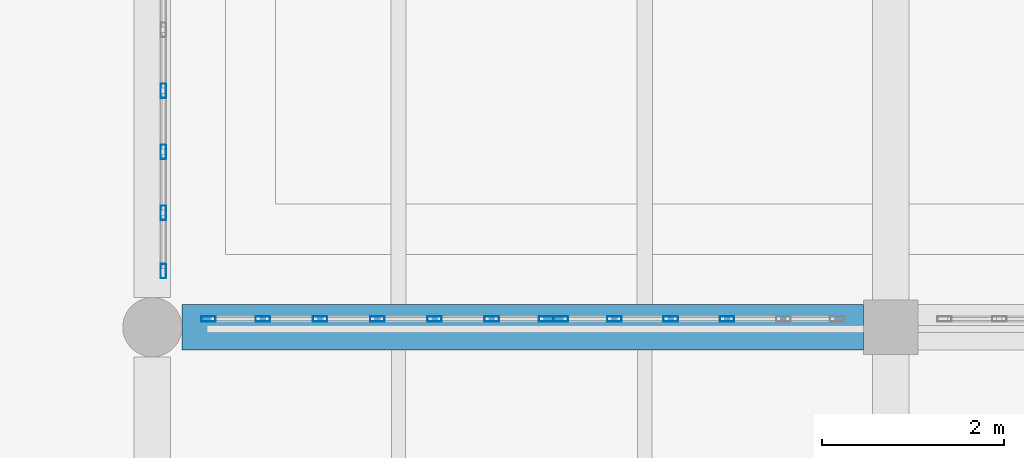
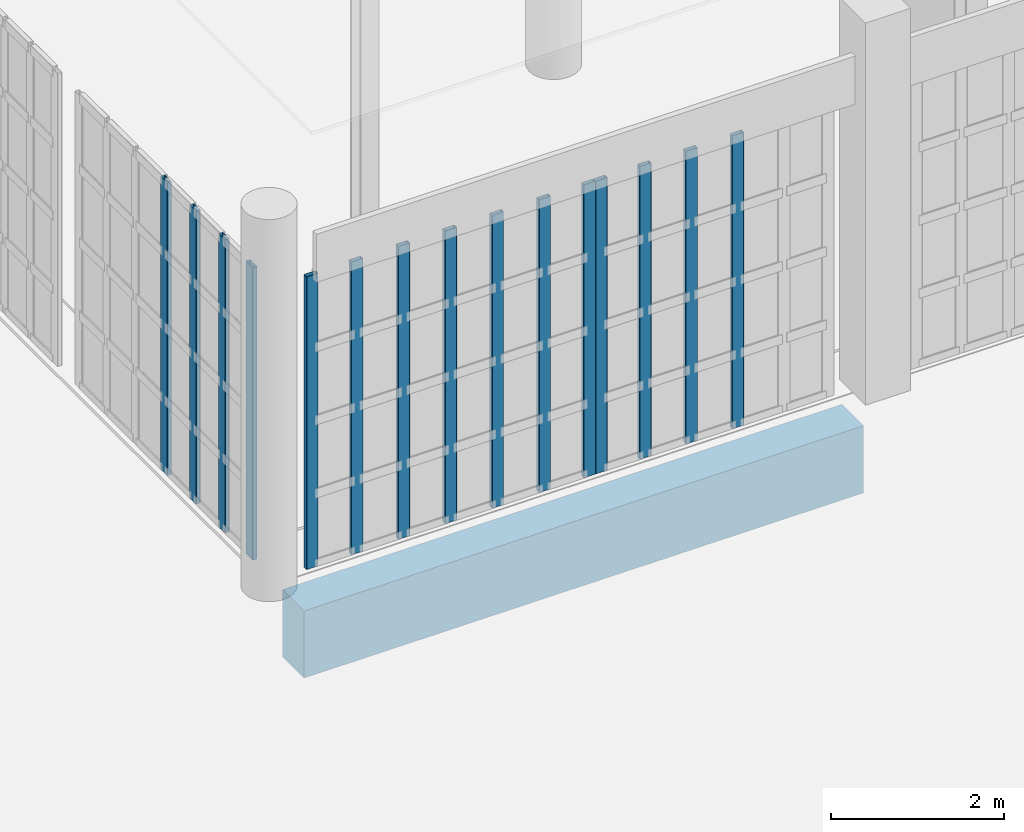
# One storey, part 211 of 372: 15 members, 1 beam, 3 elements without a shape of their own.
"""IFC4 building model written with IfcOpenShell, lengths in metres."""

import ifcopenshell
import ifcopenshell.guid

model = None  # the IFC model being written
_history = None  # IfcOwnerHistory: only IFC2X3 demands one
_inside = {}  # id of a spatial element -> (the spatial element, [elements in it])
_under = {}  # id of a project, library or spatial element -> (it, [spatial elements below it])
_declared = {}  # id of a project -> (the project, [libraries it declares])
_typed = {}  # id of a type object -> (the type object, [elements of that type])
_made_of = {}  # id of a material, layer set ... -> (it, [elements and type objects made of it])


def new_model(schema):
    """Start an empty IFC model of exactly this schema.

    Asked for "IFC4X3", IfcOpenShell would pick the latest addendum, in which some entities
    have other attributes; the version numbers below select the first issue.
    IFC2X3 requires an IfcOwnerHistory on every rooted entity: one is made here for all.
    """
    global model, _history
    if schema == "IFC4X3":
        model = ifcopenshell.file(schema_version=(4, 3, 0, 0))
    else:
        model = ifcopenshell.file(schema=schema)
    _inside.clear()
    _under.clear()
    _declared.clear()
    _typed.clear()
    _made_of.clear()
    _history = None
    if model.schema == "IFC2X3":
        org = make("IfcOrganization", Name="unknown")
        user = make(
            "IfcPersonAndOrganization",
            ThePerson=make("IfcPerson", FamilyName="unknown"),
            TheOrganization=org,
        )
        app = make(
            "IfcApplication",
            ApplicationDeveloper=org,
            Version="unknown",
            ApplicationFullName="unknown",
            ApplicationIdentifier="unknown",
        )
        _history = make(
            "IfcOwnerHistory",
            OwningUser=user,
            OwningApplication=app,
            ChangeAction="ADDED",
            CreationDate=0,
        )
    return model


def make(cls, **values):
    """One entity of the class cls with the attributes given. An attribute that is None is left unset."""
    return model.create_entity(
        cls, **{name: value for name, value in values.items() if value is not None}
    )


def rooted(cls, **values):
    """An entity with a GlobalId (a new one), such as an element, a storey or a relation."""
    return make(cls, GlobalId=ifcopenshell.guid.new(), OwnerHistory=_history, **values)


def si_unit(unit_type, name, prefix=None):
    """IfcSIUnit, for example si_unit("LENGTHUNIT", "METRE", prefix="MILLI")."""
    return make("IfcSIUnit", UnitType=unit_type, Prefix=prefix, Name=name)


def assignment(units):
    """IfcUnitAssignment: the units of a project."""
    return None if units is None else make("IfcUnitAssignment", Units=units)


def point(xyz):
    """IfcCartesianPoint."""
    return None if xyz is None else make("IfcCartesianPoint", Coordinates=xyz)


def direction(xyz):
    """IfcDirection."""
    return None if xyz is None else make("IfcDirection", DirectionRatios=xyz)


def frame(location, z_axis=None, x_axis=None):
    """IfcAxis2Placement3D, a coordinate frame: its origin and axes. An axis left out is left unset."""
    return make(
        "IfcAxis2Placement3D",
        Location=point(location),
        Axis=direction(z_axis),
        RefDirection=direction(x_axis),
    )


def frame_2d(location, x_axis=None):
    """IfcAxis2Placement2D, a coordinate frame in the plane: its origin and x axis."""
    return make(
        "IfcAxis2Placement2D", Location=point(location), RefDirection=direction(x_axis)
    )


def origin():
    """The frame at (0, 0, 0) with its axes left unset."""
    return frame((0.0, 0.0, 0.0))


def origin_2d():
    """The frame at (0, 0) in the plane with its x axis left unset."""
    return frame_2d((0.0, 0.0))


def place(relative_to, where):
    """IfcLocalPlacement: puts the frame where relative to a parent placement (None: the world)."""
    return make(
        "IfcLocalPlacement", PlacementRelTo=relative_to, RelativePlacement=where
    )


def context(
    kind, dimensions, precision=None, world=None, true_north=None, identifier=None
):
    """IfcGeometricRepresentationContext, for example the 3D "Model" context."""
    return make(
        "IfcGeometricRepresentationContext",
        ContextIdentifier=identifier,
        ContextType=kind,
        CoordinateSpaceDimension=dimensions,
        Precision=precision,
        WorldCoordinateSystem=world,
        TrueNorth=true_north,
    )


def subcontext(parent, identifier, kind, view, scale=None):
    """IfcGeometricRepresentationSubContext, for example "Body" below "Model"."""
    return make(
        "IfcGeometricRepresentationSubContext",
        ContextIdentifier=identifier,
        ContextType=kind,
        ParentContext=parent,
        TargetScale=scale,
        TargetView=view,
    )


def project(units=None, contexts=None):
    """IfcProject with its units and contexts."""
    return rooted(
        "IfcProject",
        Name="project",
        RepresentationContexts=contexts,
        UnitsInContext=assignment(units),
    )


def spatial(cls, under=None, at=None, **own):
    """A site, building, storey or space (cls), placed at a placement, below another one or the project."""
    s = rooted(cls, ObjectPlacement=at, **own)
    if under is not None:
        _under.setdefault(under.id(), (under, []))[1].append(s)
    return s


def profile(cls, at=None, kind="AREA", **sizes):
    """A parametric profile (cls). Its sizes go by their IFC names, for example OverallWidth=200.0."""
    return make(cls, ProfileType=kind, Position=at, **sizes)


def rectangle(**sizes):
    """IfcRectangleProfileDef."""
    return profile("IfcRectangleProfileDef", **sizes)


def hollow_rectangle(**sizes):
    """IfcRectangleHollowProfileDef."""
    return profile("IfcRectangleHollowProfileDef", **sizes)


def extrude(swept, where, along, depth):
    """IfcExtrudedAreaSolid: the profile swept, set in the frame where, extruded along a direction by depth."""
    return make(
        "IfcExtrudedAreaSolid",
        SweptArea=swept,
        Position=where,
        ExtrudedDirection=direction(along),
        Depth=depth,
    )


def shape(context_of_items, identifier, shape_type, items):
    """IfcShapeRepresentation: the items that make up one representation, for example the "Body"."""
    return make(
        "IfcShapeRepresentation",
        ContextOfItems=context_of_items,
        RepresentationIdentifier=identifier,
        RepresentationType=shape_type,
        Items=items,
    )


def material(Name=None, Category=None):
    """IfcMaterial."""
    return make("IfcMaterial", Name=Name, Category=Category)


def material_profile(
    of_material, cross_section, Name=None, Category=None, Priority=None
):
    """IfcMaterialProfile: a cross section and its material."""
    return make(
        "IfcMaterialProfile",
        Name=Name,
        Material=of_material,
        Profile=cross_section,
        Priority=Priority,
        Category=Category,
    )


def profile_set(profiles, Name=None, composite=None):
    """IfcMaterialProfileSet."""
    return make(
        "IfcMaterialProfileSet",
        Name=Name,
        MaterialProfiles=profiles,
        CompositeProfile=composite,
    )


def made_of(thing, what):
    """Note that an element or type object is made of a material, layer set ...; save() writes the relation."""
    if what is not None:
        _made_of.setdefault(what.id(), (what, []))[1].append(thing)
    return thing


def type_object(cls, material=None, **own):
    """A type object (cls), such as IfcWallType, which elements share."""
    return made_of(rooted(cls, **own), material)


def element(
    cls,
    number,
    at=None,
    inside=None,
    cuts=None,
    type_object=None,
    material=None,
    context=None,
    identifier="Body",
    shape_type=None,
    held_by="IfcProductDefinitionShape",
    body=None,
    shapes=None,
    **own,
):
    """One element of the class cls, such as IfcWall. Its Tag is "e" and its number.

    at: its placement. inside: the storey or other place that contains it. cuts: it is an
    opening in that element (IfcRelVoidsElement). A single representation is given by context,
    identifier, shape_type and body (its items); several are given by shapes. held_by: the class
    of the entity that holds the representations. save() writes the other relations.
    """
    e = rooted(cls, Tag="e%d" % number, ObjectPlacement=at, **own)
    if body is not None:
        shapes = [shape(context, identifier, shape_type, body)]
    if shapes is not None:
        e.Representation = make(held_by, Representations=shapes)
    if inside is not None:
        _inside.setdefault(inside.id(), (inside, []))[1].append(e)
    if cuts is not None:
        rooted(
            "IfcRelVoidsElement", RelatingBuildingElement=cuts, RelatedOpeningElement=e
        )
    if type_object is not None:
        _typed.setdefault(type_object.id(), (type_object, []))[1].append(e)
    return made_of(e, material)


def aggregate(whole, parts):
    """IfcRelAggregates: a whole, such as a stair, and the parts it consists of."""
    return rooted("IfcRelAggregates", RelatingObject=whole, RelatedObjects=parts)


def save(model, path):
    """Write the relations noted so far, then the file.

    IfcRelAggregates (storeys below a building ...), IfcRelContainedInSpatialStructure (elements
    in a storey), IfcRelDefinesByType, IfcRelAssociatesMaterial and IfcRelDeclares: one each for
    every whole, place, type object, material and project.
    """
    for whole, parts in _under.values():
        aggregate(whole, parts)
    for where, things in _inside.values():
        rooted(
            "IfcRelContainedInSpatialStructure",
            RelatedElements=things,
            RelatingStructure=where,
        )
    for kind, things in _typed.values():
        rooted("IfcRelDefinesByType", RelatedObjects=things, RelatingType=kind)
    for what, things in _made_of.values():
        rooted("IfcRelAssociatesMaterial", RelatedObjects=things, RelatingMaterial=what)
    for by, libraries in _declared.values():
        rooted("IfcRelDeclares", RelatingContext=by, RelatedDefinitions=libraries)
    model.write(path)


model = new_model("IFC4")

# Units and contexts
model_context = context("Model", 3, precision=1e-05, world=origin(), true_north=direction((0.0, 1.0)))
body_context = subcontext(model_context, "Body", "Model", "MODEL_VIEW")
ifc_project = project(units=[si_unit("LENGTHUNIT", "METRE"), si_unit("AREAUNIT", "SQUARE_METRE"), si_unit("VOLUMEUNIT", "CUBIC_METRE"), si_unit("PLANEANGLEUNIT", "RADIAN"), si_unit("MASSUNIT", "GRAM", prefix="KILO")], contexts=[model_context])

# Site, building, storey
site_placement = place(None, origin())
site = spatial("IfcSite", under=ifc_project, at=site_placement, CompositionType="ELEMENT")
building_placement = place(site_placement, origin())
building = spatial("IfcBuilding", under=site, at=building_placement, Name="Kaelora Sail Theatre", CompositionType="ELEMENT")
storey_placement = place(building_placement, origin())
storey = spatial("IfcBuildingStorey", under=building, at=storey_placement, Name="L00", CompositionType="ELEMENT", Elevation=0.0)

# Curtain wall, members
ifc_material_1 = material(Name="Anodised aluminium and solar-control low-E IGU", Category="aluminium")
curtain_wall_type = type_object("IfcCurtainWallType", Name="ARC-CW-CW-FOY2", PredefinedType="NOTDEFINED", material=ifc_material_1)
curtain_wall_1_placement = place(storey_placement, origin())
curtain_wall_1 = element("IfcCurtainWall", 1, at=curtain_wall_1_placement, inside=storey, type_object=curtain_wall_type, Name="East Interstitial Sail Foyer Curtain Wall L00-01", PredefinedType="NOTDEFINED")
ifc_material_2 = material(Name="Anodised aluminium 6063-T6", Category="aluminium")
ifc_material_profile_1 = material_profile(ifc_material_2, hollow_rectangle(XDim=0.06005859375, YDim=0.159912109375, WallThickness=0.00390625, InnerFilletRadius=0.00390625, OuterFilletRadius=0.008056640625, at=origin_2d()), Name="ALU-MULL 60x160x4")
ifc_profile_set_1 = profile_set([ifc_material_profile_1], Name="Anodised aluminium 6063-T6")
member_type = type_object("IfcMemberType", Name="ARC-MEM-ML-160", PredefinedType="MULLION", material=ifc_profile_set_1)
member_1_placement = place(storey_placement, frame((107.4150390625, 38.7900390625, 0.0), z_axis=(0.0, 0.0, 1.0), x_axis=(0.0, 1.0, 0.0)))
member_1 = element("IfcMember", 2, at=member_1_placement, type_object=member_type, Name="CW-FOY2 mullion 1", PredefinedType="MULLION", context=body_context, shape_type="SweptSolid", body=[
    extrude(hollow_rectangle(XDim=0.06005859375, YDim=0.159912109375, WallThickness=0.00390625, InnerFilletRadius=0.00390625, OuterFilletRadius=0.008056640625, at=origin_2d()), origin(), (0.0, 0.0, 1.0), 4.136962890625),
])
member_2_placement = place(storey_placement, frame((108.012451171875, 38.7900390625, 0.0), z_axis=(0.0, 0.0, 1.0), x_axis=(0.0, 1.0, 0.0)))
member_2 = element("IfcMember", 3, at=member_2_placement, type_object=member_type, Name="CW-FOY2 mullion 2", PredefinedType="MULLION", context=body_context, shape_type="SweptSolid", body=[
    extrude(hollow_rectangle(XDim=0.06005859375, YDim=0.159912109375, WallThickness=0.00390625, InnerFilletRadius=0.00390625, OuterFilletRadius=0.008056640625, at=origin_2d()), origin(), (0.0, 0.0, 1.0), 4.136962890625),
])
member_3_placement = place(storey_placement, frame((108.639892578125, 38.7900390625, 0.0), z_axis=(0.0, 0.0, 1.0), x_axis=(0.0, 1.0, 0.0)))
member_3 = element("IfcMember", 4, at=member_3_placement, type_object=member_type, Name="CW-FOY2 mullion 3", PredefinedType="MULLION", context=body_context, shape_type="SweptSolid", body=[
    extrude(hollow_rectangle(XDim=0.06005859375, YDim=0.159912109375, WallThickness=0.00390625, InnerFilletRadius=0.00390625, OuterFilletRadius=0.008056640625, at=origin_2d()), origin(), (0.0, 0.0, 1.0), 4.136962890625),
])
member_4_placement = place(storey_placement, frame((109.267578125, 38.7900390625, 0.0), z_axis=(0.0, 0.0, 1.0), x_axis=(0.0, 1.0, 0.0)))
member_4 = element("IfcMember", 5, at=member_4_placement, type_object=member_type, Name="CW-FOY2 mullion 4", PredefinedType="MULLION", context=body_context, shape_type="SweptSolid", body=[
    extrude(hollow_rectangle(XDim=0.06005859375, YDim=0.159912109375, WallThickness=0.00390625, InnerFilletRadius=0.00390625, OuterFilletRadius=0.008056640625, at=origin_2d()), origin(), (0.0, 0.0, 1.0), 4.136962890625),
])
member_5_placement = place(storey_placement, frame((109.89501953125, 38.7900390625, 0.0), z_axis=(0.0, 0.0, 1.0), x_axis=(0.0, 1.0, 0.0)))
member_5 = element("IfcMember", 6, at=member_5_placement, type_object=member_type, Name="CW-FOY2 mullion 5", PredefinedType="MULLION", context=body_context, shape_type="SweptSolid", body=[
    extrude(hollow_rectangle(XDim=0.06005859375, YDim=0.159912109375, WallThickness=0.00390625, InnerFilletRadius=0.00390625, OuterFilletRadius=0.008056640625, at=origin_2d()), origin(), (0.0, 0.0, 1.0), 4.136962890625),
])
member_6_placement = place(storey_placement, frame((110.5224609375, 38.7900390625, 0.0), z_axis=(0.0, 0.0, 1.0), x_axis=(0.0, 1.0, 0.0)))
member_6 = element("IfcMember", 7, at=member_6_placement, type_object=member_type, Name="CW-FOY2 mullion 6", PredefinedType="MULLION", context=body_context, shape_type="SweptSolid", body=[
    extrude(hollow_rectangle(XDim=0.06005859375, YDim=0.159912109375, WallThickness=0.00390625, InnerFilletRadius=0.00390625, OuterFilletRadius=0.008056640625, at=origin_2d()), origin(), (0.0, 0.0, 1.0), 4.136962890625),
])
member_7_placement = place(storey_placement, frame((111.1201171875, 38.7900390625, 0.0), z_axis=(0.0, 0.0, 1.0), x_axis=(0.0, 1.0, 0.0)))
member_7 = element("IfcMember", 8, at=member_7_placement, type_object=member_type, Name="CW-FOY2 mullion 7", PredefinedType="MULLION", context=body_context, shape_type="SweptSolid", body=[
    extrude(hollow_rectangle(XDim=0.06005859375, YDim=0.159912109375, WallThickness=0.00390625, InnerFilletRadius=0.00390625, OuterFilletRadius=0.008056640625, at=origin_2d()), origin(), (0.0, 0.0, 1.0), 4.136962890625),
])
aggregate(curtain_wall_1, [member_1, member_2, member_3, member_4, member_5, member_6, member_7])

curtain_wall_2_placement = place(storey_placement, origin())
curtain_wall_2 = element("IfcCurtainWall", 9, at=curtain_wall_2_placement, inside=storey, type_object=curtain_wall_type, Name="East Interstitial Sail Foyer Curtain Wall L00-02", PredefinedType="NOTDEFINED")
member_8_placement = place(storey_placement, frame((111.280029296875, 38.7900390625, 0.0), z_axis=(0.0, 0.0, 1.0), x_axis=(0.0, 1.0, 0.0)))
member_8 = element("IfcMember", 10, at=member_8_placement, type_object=member_type, Name="CW-FOY2 mullion 1", PredefinedType="MULLION", context=body_context, shape_type="SweptSolid", body=[
    extrude(hollow_rectangle(XDim=0.06005859375, YDim=0.159912109375, WallThickness=0.00390625, InnerFilletRadius=0.00390625, OuterFilletRadius=0.008056640625, at=origin_2d()), origin(), (0.0, 0.0, 1.0), 4.136962890625),
])
member_9_placement = place(storey_placement, frame((111.867919921875, 38.7900390625, 0.0), z_axis=(0.0, 0.0, 1.0), x_axis=(0.0, 1.0, 0.0)))
member_9 = element("IfcMember", 11, at=member_9_placement, type_object=member_type, Name="CW-FOY2 mullion 2", PredefinedType="MULLION", context=body_context, shape_type="SweptSolid", body=[
    extrude(hollow_rectangle(XDim=0.06005859375, YDim=0.159912109375, WallThickness=0.00390625, InnerFilletRadius=0.00390625, OuterFilletRadius=0.008056640625, at=origin_2d()), origin(), (0.0, 0.0, 1.0), 4.136962890625),
])
member_10_placement = place(storey_placement, frame((112.486083984375, 38.7900390625, 0.0), z_axis=(0.0, 0.0, 1.0), x_axis=(0.0, 1.0, 0.0)))
member_10 = element("IfcMember", 12, at=member_10_placement, type_object=member_type, Name="CW-FOY2 mullion 3", PredefinedType="MULLION", context=body_context, shape_type="SweptSolid", body=[
    extrude(hollow_rectangle(XDim=0.06005859375, YDim=0.159912109375, WallThickness=0.00390625, InnerFilletRadius=0.00390625, OuterFilletRadius=0.008056640625, at=origin_2d()), origin(), (0.0, 0.0, 1.0), 4.136962890625),
])
member_11_placement = place(storey_placement, frame((113.10400390625, 38.7900390625, 0.0), z_axis=(0.0, 0.0, 1.0), x_axis=(0.0, 1.0, 0.0)))
member_11 = element("IfcMember", 13, at=member_11_placement, type_object=member_type, Name="CW-FOY2 mullion 4", PredefinedType="MULLION", context=body_context, shape_type="SweptSolid", body=[
    extrude(hollow_rectangle(XDim=0.06005859375, YDim=0.159912109375, WallThickness=0.00390625, InnerFilletRadius=0.00390625, OuterFilletRadius=0.008056640625, at=origin_2d()), origin(), (0.0, 0.0, 1.0), 4.136962890625),
])
aggregate(curtain_wall_2, [member_8, member_9, member_10, member_11])

curtain_wall_3_placement = place(storey_placement, origin())
curtain_wall_3 = element("IfcCurtainWall", 14, at=curtain_wall_3_placement, inside=storey, type_object=curtain_wall_type, Name="East Interstitial Foyer West Glazed Return L00-01", PredefinedType="NOTDEFINED")
member_12_placement = place(storey_placement, frame((106.919921875, 39.31494140625, 0.0), z_axis=(0.0, 0.0, 1.0), x_axis=(-1.0, 0.0, 0.0)))
member_12 = element("IfcMember", 15, at=member_12_placement, type_object=member_type, Name="CW-FOY2 mullion 1", PredefinedType="MULLION", context=body_context, shape_type="SweptSolid", body=[
    extrude(hollow_rectangle(XDim=0.06005859375, YDim=0.159912109375, WallThickness=0.00390625, InnerFilletRadius=0.00390625, OuterFilletRadius=0.008056640625, at=origin_2d()), origin(), (0.0, 0.0, 1.0), 4.136962890625),
])
member_13_placement = place(storey_placement, frame((106.919921875, 39.9541015625, 0.0), z_axis=(0.0, 0.0, 1.0), x_axis=(-1.0, 0.0, 0.0)))
member_13 = element("IfcMember", 16, at=member_13_placement, type_object=member_type, Name="CW-FOY2 mullion 2", PredefinedType="MULLION", context=body_context, shape_type="SweptSolid", body=[
    extrude(hollow_rectangle(XDim=0.06005859375, YDim=0.159912109375, WallThickness=0.00390625, InnerFilletRadius=0.00390625, OuterFilletRadius=0.008056640625, at=origin_2d()), origin(), (0.0, 0.0, 1.0), 4.136962890625),
])
member_14_placement = place(storey_placement, frame((106.919921875, 40.623291015625, 0.0), z_axis=(0.0, 0.0, 1.0), x_axis=(-1.0, 0.0, 0.0)))
member_14 = element("IfcMember", 17, at=member_14_placement, type_object=member_type, Name="CW-FOY2 mullion 3", PredefinedType="MULLION", context=body_context, shape_type="SweptSolid", body=[
    extrude(hollow_rectangle(XDim=0.06005859375, YDim=0.159912109375, WallThickness=0.00390625, InnerFilletRadius=0.00390625, OuterFilletRadius=0.008056640625, at=origin_2d()), origin(), (0.0, 0.0, 1.0), 4.136962890625),
])
member_15_placement = place(storey_placement, frame((106.919921875, 41.29248046875, 0.0), z_axis=(0.0, 0.0, 1.0), x_axis=(-1.0, 0.0, 0.0)))
member_15 = element("IfcMember", 18, at=member_15_placement, type_object=member_type, Name="CW-FOY2 mullion 4", PredefinedType="MULLION", context=body_context, shape_type="SweptSolid", body=[
    extrude(hollow_rectangle(XDim=0.06005859375, YDim=0.159912109375, WallThickness=0.00390625, InnerFilletRadius=0.00390625, OuterFilletRadius=0.008056640625, at=origin_2d()), origin(), (0.0, 0.0, 1.0), 4.136962890625),
])
aggregate(curtain_wall_3, [member_12, member_13, member_14, member_15])

# Beam
ifc_material_3 = material(Name="Concrete C45/55", Category="concrete")
ifc_material_profile_2 = material_profile(ifc_material_3, rectangle(XDim=0.5, YDim=0.949951171875, at=origin_2d()), Name="RC-GRD 500x950")
ifc_profile_set_2 = profile_set([ifc_material_profile_2], Name="Concrete C45/55")
beam_type = type_object("IfcBeamType", Name="STR-BM-GR-RC5095", PredefinedType="T_BEAM", material=ifc_profile_set_2)
beam_placement = place(storey_placement, frame((107.125, 38.699951171875, -0.794921875), z_axis=(1.0, 0.0, 0.0), x_axis=(0.0, 1.0, 0.0)))
element("IfcBeam", 19, at=beam_placement, inside=storey, type_object=beam_type, Name="Primary beam F 14-15 (L00)", PredefinedType="T_BEAM", context=body_context, shape_type="SweptSolid", body=[
    extrude(rectangle(XDim=0.5, YDim=0.949951171875, at=origin_2d()), origin(), (0.0, 0.0, 1.0), 7.47509765625),
])

save(model, "model.ifc")
